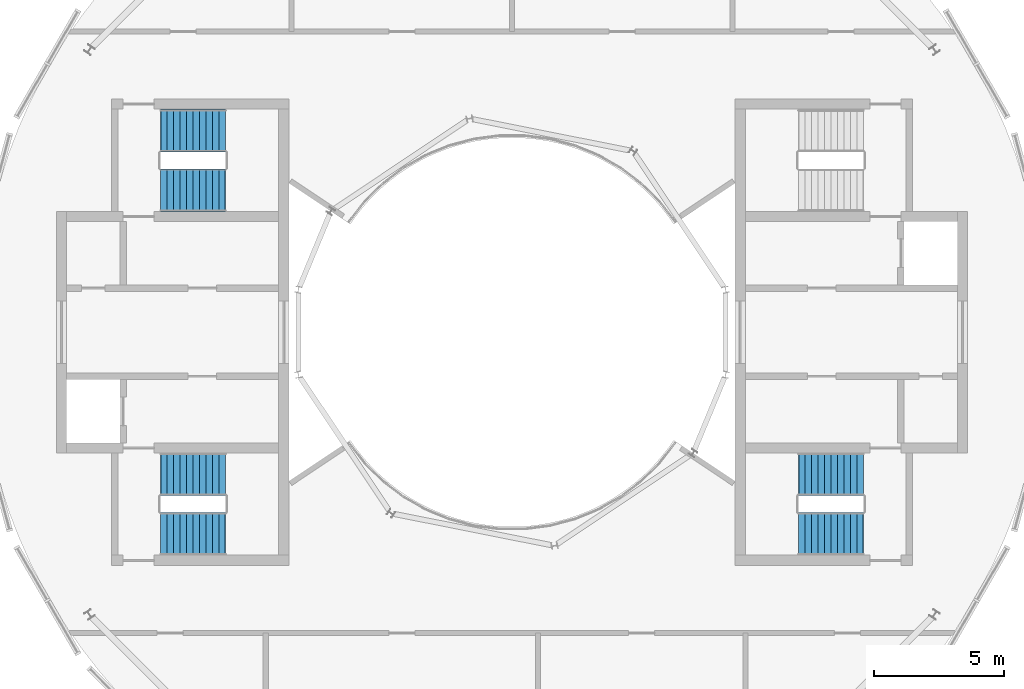
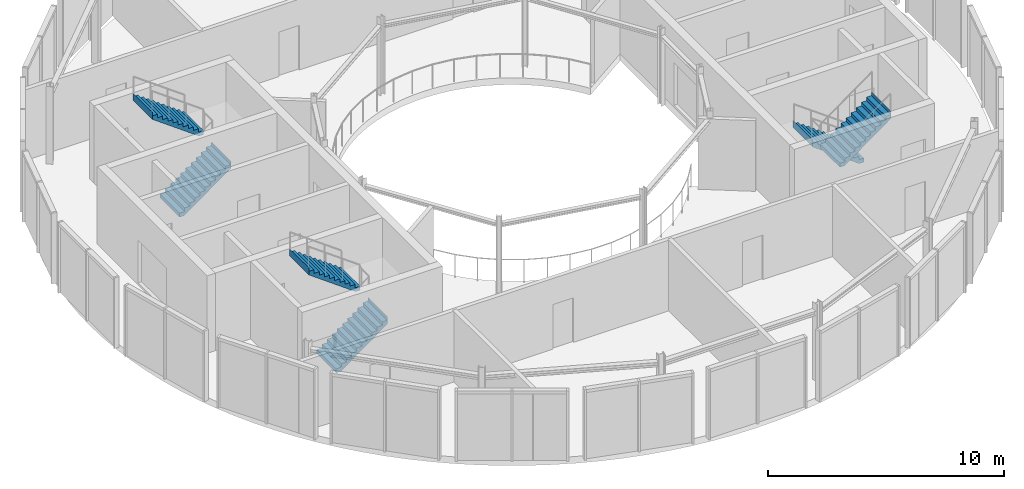
# One storey, part 10 of 12: 6 stair flights, 3 elements without a shape of their own.
"""IFC4 building model written with IfcOpenShell, lengths in metres."""

from ifc_helpers import new_model, si_unit, direction, frame, origin, place, context, subcontext, project, spatial, triangles, material, type_object, element, aggregate, save


model = new_model("IFC4")

# Units and contexts
model_context = context("Model", 3, precision=1e-05, world=origin(), true_north=direction((0.0, 1.0)))
body_context = subcontext(model_context, "Body", "Model", "MODEL_VIEW")
ifc_project = project(units=[si_unit("LENGTHUNIT", "METRE"), si_unit("AREAUNIT", "SQUARE_METRE"), si_unit("VOLUMEUNIT", "CUBIC_METRE"), si_unit("PLANEANGLEUNIT", "RADIAN"), si_unit("MASSUNIT", "GRAM", prefix="KILO")], contexts=[model_context])

# Site, building, storey
site_placement = place(None, origin())
site = spatial("IfcSite", under=ifc_project, at=site_placement, CompositionType="ELEMENT")
building_placement = place(site_placement, origin())
building = spatial("IfcBuilding", under=site, at=building_placement, Name="Maasbend Ring Residences", CompositionType="ELEMENT")
storey_placement = place(building_placement, frame((0.0, 0.0, 261.5)))
storey = spatial("IfcBuildingStorey", under=building, at=storey_placement, Name="L75", CompositionType="ELEMENT", Elevation=261.5)

# Stair, stair flights
ifc_material_1 = material(Name="Concrete C40/50", Category="concrete")
stair_type = type_object("IfcStairType", Name="CORE STAIR 22 RISERS", PredefinedType="HALF_TURN_STAIR", material=ifc_material_1)
stair_1_placement = place(storey_placement, origin())
stair_1 = element("IfcStair", 1, at=stair_1_placement, inside=storey, type_object=stair_type, Name="L75 Exit stair ST-E2", PredefinedType="HALF_TURN_STAIR")
ifc_material_2 = material(Name="Concrete C40/50", Category="concrete")
stair_flight_type = type_object("IfcStairFlightType", Name="CORE STAIR FLIGHT 1650", PredefinedType="STRAIGHT", material=ifc_material_2)
stair_flight_1_placement = place(storey_placement, frame((13.550048828125, -5.47509765625, 0.0), z_axis=(0.0, 0.0, 1.0), x_axis=(-1.0, 0.0, 0.0)))
stair_flight_1 = element("IfcStairFlight", 2, at=stair_flight_1_placement, type_object=stair_flight_type, Name="ST-E2 flight 1", NumberOfRisers=11, NumberOfTreads=10, PredefinedType="STRAIGHT", RiserHeight=0.181818182, TreadLength=0.25, context=body_context, shape_type="Tessellation", body=[
    triangles([(0.23046875, 0.824951171875, -0.02001953125), (2.5029296875, 0.824951171875, 1.6328125), (2.5029296875, 0.824951171875, 2.0), (2.489990234375, 0.824951171875, 1.818115234375), (2.25, 0.824951171875, 1.818115234375), (2.25, 0.824951171875, 1.636474609375), (2.0, 0.824951171875, 1.636474609375), (2.0, 0.824951171875, 1.45458984375), (1.75, 0.824951171875, 1.45458984375), (1.75, 0.824951171875, 1.272705078125), (1.5, 0.824951171875, 1.272705078125), (1.5, 0.824951171875, 1.0908203125), (1.25, 0.824951171875, 1.0908203125), (1.25, 0.824951171875, 0.9091796875), (1.0, 0.824951171875, 0.9091796875), (1.0, 0.824951171875, 0.727294921875), (0.75, 0.824951171875, 0.727294921875), (0.75, 0.824951171875, 0.54541015625), (0.5, 0.824951171875, 0.54541015625), (0.5, 0.824951171875, 0.363525390625), (0.25, 0.824951171875, 0.363525390625), (0.25, 0.824951171875, 0.181884765625), (0.0, 0.824951171875, 0.181884765625), (0.0, 0.824951171875, 0.0), (-0.0029296875, 0.824951171875, 0.0), (-0.0029296875, 0.824951171875, -0.02001953125), (0.23046875, 0.0, -0.02001953125), (2.5029296875, 0.0, 1.6328125), (2.5029296875, 0.0, 2.0), (2.489990234375, 0.0, 1.818115234375), (2.25, 0.0, 1.818115234375), (2.25, 0.0, 1.636474609375), (2.0, 0.0, 1.636474609375), (2.0, 0.0, 1.45458984375), (1.75, 0.0, 1.45458984375), (1.75, 0.0, 1.272705078125), (1.5, 0.0, 1.272705078125), (1.5, 0.0, 1.0908203125), (1.25, 0.0, 1.0908203125), (1.25, 0.0, 0.9091796875), (1.0, 0.0, 0.9091796875), (1.0, 0.0, 0.727294921875), (0.75, 0.0, 0.727294921875), (0.75, 0.0, 0.54541015625), (0.5, 0.0, 0.54541015625), (0.5, 0.0, 0.363525390625), (0.25, 0.0, 0.363525390625), (0.25, 0.0, 0.181884765625), (0.0, 0.0, 0.181884765625), (0.0, 0.0, 0.0), (-0.0029296875, 0.0, 0.0), (-0.0029296875, 0.0, -0.02001953125), (0.23046875, -0.824951171875, -0.02001953125), (2.5029296875, -0.824951171875, 1.6328125), (2.5029296875, -0.824951171875, 2.0), (2.489990234375, -0.824951171875, 1.818115234375), (2.25, -0.824951171875, 1.818115234375), (2.25, -0.824951171875, 1.636474609375), (2.0, -0.824951171875, 1.636474609375), (2.0, -0.824951171875, 1.45458984375), (1.75, -0.824951171875, 1.45458984375), (1.75, -0.824951171875, 1.272705078125), (1.5, -0.824951171875, 1.272705078125), (1.5, -0.824951171875, 1.0908203125), (1.25, -0.824951171875, 1.0908203125), (1.25, -0.824951171875, 0.9091796875), (1.0, -0.824951171875, 0.9091796875), (1.0, -0.824951171875, 0.727294921875), (0.75, -0.824951171875, 0.727294921875), (0.75, -0.824951171875, 0.54541015625), (0.5, -0.824951171875, 0.54541015625), (0.5, -0.824951171875, 0.363525390625), (0.25, -0.824951171875, 0.363525390625), (0.25, -0.824951171875, 0.181884765625), (0.0, -0.824951171875, 0.181884765625), (0.0, -0.824951171875, 0.0), (-0.0029296875, -0.824951171875, 0.0), (-0.0029296875, -0.824951171875, -0.02001953125)], [[1, 2, 28], [1, 28, 27], [27, 28, 54], [27, 54, 53], [2, 3, 29], [2, 29, 28], [28, 29, 55], [28, 55, 54], [3, 4, 30], [3, 30, 29], [29, 30, 56], [29, 56, 55], [4, 5, 31], [4, 31, 30], [30, 31, 57], [30, 57, 56], [5, 6, 32], [5, 32, 31], [31, 32, 58], [31, 58, 57], [6, 7, 33], [6, 33, 32], [32, 33, 59], [32, 59, 58], [7, 8, 34], [7, 34, 33], [33, 34, 60], [33, 60, 59], [8, 9, 35], [8, 35, 34], [34, 35, 61], [34, 61, 60], [9, 10, 36], [9, 36, 35], [35, 36, 62], [35, 62, 61], [10, 11, 37], [10, 37, 36], [36, 37, 63], [36, 63, 62], [11, 12, 38], [11, 38, 37], [37, 38, 64], [37, 64, 63], [12, 13, 39], [12, 39, 38], [38, 39, 65], [38, 65, 64], [13, 14, 40], [13, 40, 39], [39, 40, 66], [39, 66, 65], [14, 15, 41], [14, 41, 40], [40, 41, 67], [40, 67, 66], [15, 16, 42], [15, 42, 41], [41, 42, 68], [41, 68, 67], [16, 17, 43], [16, 43, 42], [42, 43, 69], [42, 69, 68], [17, 18, 44], [17, 44, 43], [43, 44, 70], [43, 70, 69], [18, 19, 45], [18, 45, 44], [44, 45, 71], [44, 71, 70], [19, 20, 46], [19, 46, 45], [45, 46, 72], [45, 72, 71], [20, 21, 47], [20, 47, 46], [46, 47, 73], [46, 73, 72], [21, 22, 48], [21, 48, 47], [47, 48, 74], [47, 74, 73], [22, 23, 49], [22, 49, 48], [48, 49, 75], [48, 75, 74], [23, 24, 50], [23, 50, 49], [49, 50, 76], [49, 76, 75], [24, 25, 51], [24, 51, 50], [50, 51, 77], [50, 77, 76], [25, 26, 52], [25, 52, 51], [51, 52, 78], [51, 78, 77], [26, 1, 27], [26, 27, 52], [52, 27, 53], [52, 53, 78], [26, 2, 1], [2, 4, 3], [2, 5, 4], [2, 6, 5], [26, 6, 2], [6, 8, 7], [26, 8, 6], [8, 10, 9], [26, 10, 8], [10, 12, 11], [26, 12, 10], [12, 14, 13], [26, 14, 12], [14, 16, 15], [26, 16, 14], [16, 18, 17], [26, 18, 16], [18, 20, 19], [26, 20, 18], [20, 22, 21], [26, 22, 20], [22, 24, 23], [26, 24, 22], [24, 26, 25], [78, 53, 54], [54, 55, 56], [54, 56, 57], [54, 57, 58], [78, 54, 58], [58, 59, 60], [78, 58, 60], [60, 61, 62], [78, 60, 62], [62, 63, 64], [78, 62, 64], [64, 65, 66], [78, 64, 66], [66, 67, 68], [78, 66, 68], [68, 69, 70], [78, 68, 70], [70, 71, 72], [78, 70, 72], [72, 73, 74], [78, 72, 74], [74, 75, 76], [78, 74, 76], [76, 77, 78]], closed=True),
])
stair_flight_2_placement = place(storey_placement, frame((11.050048828125, -7.77490234375, 2.0), z_axis=(0.0, 0.0, 1.0), x_axis=(1.0, 0.0, 0.0)))
stair_flight_2 = element("IfcStairFlight", 3, at=stair_flight_2_placement, type_object=stair_flight_type, Name="ST-E2 flight 2", NumberOfRisers=11, NumberOfTreads=10, PredefinedType="STRAIGHT", RiserHeight=0.181818182, TreadLength=0.25, context=body_context, shape_type="Tessellation", body=[
    triangles([(0.23046875, 0.824951171875, -0.02001953125), (2.5029296875, 0.824951171875, 1.6328125), (2.5029296875, 0.824951171875, 2.0), (2.489990234375, 0.824951171875, 1.818115234375), (2.25, 0.824951171875, 1.818115234375), (2.25, 0.824951171875, 1.636474609375), (2.0, 0.824951171875, 1.636474609375), (2.0, 0.824951171875, 1.45458984375), (1.75, 0.824951171875, 1.45458984375), (1.75, 0.824951171875, 1.272705078125), (1.5, 0.824951171875, 1.272705078125), (1.5, 0.824951171875, 1.0908203125), (1.25, 0.824951171875, 1.0908203125), (1.25, 0.824951171875, 0.9091796875), (1.0, 0.824951171875, 0.9091796875), (1.0, 0.824951171875, 0.727294921875), (0.75, 0.824951171875, 0.727294921875), (0.75, 0.824951171875, 0.54541015625), (0.5, 0.824951171875, 0.54541015625), (0.5, 0.824951171875, 0.363525390625), (0.25, 0.824951171875, 0.363525390625), (0.25, 0.824951171875, 0.181884765625), (0.0, 0.824951171875, 0.181884765625), (0.0, 0.824951171875, 0.0), (-0.0029296875, 0.824951171875, 0.0), (-0.0029296875, 0.824951171875, -0.02001953125), (0.23046875, 0.0, -0.02001953125), (2.5029296875, 0.0, 1.6328125), (2.5029296875, 0.0, 2.0), (2.489990234375, 0.0, 1.818115234375), (2.25, 0.0, 1.818115234375), (2.25, 0.0, 1.636474609375), (2.0, 0.0, 1.636474609375), (2.0, 0.0, 1.45458984375), (1.75, 0.0, 1.45458984375), (1.75, 0.0, 1.272705078125), (1.5, 0.0, 1.272705078125), (1.5, 0.0, 1.0908203125), (1.25, 0.0, 1.0908203125), (1.25, 0.0, 0.9091796875), (1.0, 0.0, 0.9091796875), (1.0, 0.0, 0.727294921875), (0.75, 0.0, 0.727294921875), (0.75, 0.0, 0.54541015625), (0.5, 0.0, 0.54541015625), (0.5, 0.0, 0.363525390625), (0.25, 0.0, 0.363525390625), (0.25, 0.0, 0.181884765625), (0.0, 0.0, 0.181884765625), (0.0, 0.0, 0.0), (-0.0029296875, 0.0, 0.0), (-0.0029296875, 0.0, -0.02001953125), (0.23046875, -0.824951171875, -0.02001953125), (2.5029296875, -0.824951171875, 1.6328125), (2.5029296875, -0.824951171875, 2.0), (2.489990234375, -0.824951171875, 1.818115234375), (2.25, -0.824951171875, 1.818115234375), (2.25, -0.824951171875, 1.636474609375), (2.0, -0.824951171875, 1.636474609375), (2.0, -0.824951171875, 1.45458984375), (1.75, -0.824951171875, 1.45458984375), (1.75, -0.824951171875, 1.272705078125), (1.5, -0.824951171875, 1.272705078125), (1.5, -0.824951171875, 1.0908203125), (1.25, -0.824951171875, 1.0908203125), (1.25, -0.824951171875, 0.9091796875), (1.0, -0.824951171875, 0.9091796875), (1.0, -0.824951171875, 0.727294921875), (0.75, -0.824951171875, 0.727294921875), (0.75, -0.824951171875, 0.54541015625), (0.5, -0.824951171875, 0.54541015625), (0.5, -0.824951171875, 0.363525390625), (0.25, -0.824951171875, 0.363525390625), (0.25, -0.824951171875, 0.181884765625), (0.0, -0.824951171875, 0.181884765625), (0.0, -0.824951171875, 0.0), (-0.0029296875, -0.824951171875, 0.0), (-0.0029296875, -0.824951171875, -0.02001953125)], [[1, 2, 28], [1, 28, 27], [27, 28, 54], [27, 54, 53], [2, 3, 29], [2, 29, 28], [28, 29, 55], [28, 55, 54], [3, 4, 30], [3, 30, 29], [29, 30, 56], [29, 56, 55], [4, 5, 31], [4, 31, 30], [30, 31, 57], [30, 57, 56], [5, 6, 32], [5, 32, 31], [31, 32, 58], [31, 58, 57], [6, 7, 33], [6, 33, 32], [32, 33, 59], [32, 59, 58], [7, 8, 34], [7, 34, 33], [33, 34, 60], [33, 60, 59], [8, 9, 35], [8, 35, 34], [34, 35, 61], [34, 61, 60], [9, 10, 36], [9, 36, 35], [35, 36, 62], [35, 62, 61], [10, 11, 37], [10, 37, 36], [36, 37, 63], [36, 63, 62], [11, 12, 38], [11, 38, 37], [37, 38, 64], [37, 64, 63], [12, 13, 39], [12, 39, 38], [38, 39, 65], [38, 65, 64], [13, 14, 40], [13, 40, 39], [39, 40, 66], [39, 66, 65], [14, 15, 41], [14, 41, 40], [40, 41, 67], [40, 67, 66], [15, 16, 42], [15, 42, 41], [41, 42, 68], [41, 68, 67], [16, 17, 43], [16, 43, 42], [42, 43, 69], [42, 69, 68], [17, 18, 44], [17, 44, 43], [43, 44, 70], [43, 70, 69], [18, 19, 45], [18, 45, 44], [44, 45, 71], [44, 71, 70], [19, 20, 46], [19, 46, 45], [45, 46, 72], [45, 72, 71], [20, 21, 47], [20, 47, 46], [46, 47, 73], [46, 73, 72], [21, 22, 48], [21, 48, 47], [47, 48, 74], [47, 74, 73], [22, 23, 49], [22, 49, 48], [48, 49, 75], [48, 75, 74], [23, 24, 50], [23, 50, 49], [49, 50, 76], [49, 76, 75], [24, 25, 51], [24, 51, 50], [50, 51, 77], [50, 77, 76], [25, 26, 52], [25, 52, 51], [51, 52, 78], [51, 78, 77], [26, 1, 27], [26, 27, 52], [52, 27, 53], [52, 53, 78], [26, 2, 1], [2, 4, 3], [2, 5, 4], [2, 6, 5], [26, 6, 2], [6, 8, 7], [26, 8, 6], [8, 10, 9], [26, 10, 8], [10, 12, 11], [26, 12, 10], [12, 14, 13], [26, 14, 12], [14, 16, 15], [26, 16, 14], [16, 18, 17], [26, 18, 16], [18, 20, 19], [26, 20, 18], [20, 22, 21], [26, 22, 20], [22, 24, 23], [26, 24, 22], [24, 26, 25], [78, 53, 54], [54, 55, 56], [54, 56, 57], [54, 57, 58], [78, 54, 58], [58, 59, 60], [78, 58, 60], [60, 61, 62], [78, 60, 62], [62, 63, 64], [78, 62, 64], [64, 65, 66], [78, 64, 66], [66, 67, 68], [78, 66, 68], [68, 69, 70], [78, 68, 70], [70, 71, 72], [78, 70, 72], [72, 73, 74], [78, 72, 74], [74, 75, 76], [78, 74, 76], [76, 77, 78]], closed=True),
])
aggregate(stair_1, [stair_flight_1, stair_flight_2])

stair_2_placement = place(storey_placement, origin())
stair_2 = element("IfcStair", 4, at=stair_2_placement, inside=storey, type_object=stair_type, Name="L75 Exit stair ST-W1", PredefinedType="HALF_TURN_STAIR")
stair_flight_3_placement = place(storey_placement, frame((-13.550048828125, -7.77490234375, 0.0), z_axis=(0.0, 0.0, 1.0), x_axis=(1.0, 0.0, 0.0)))
stair_flight_3 = element("IfcStairFlight", 5, at=stair_flight_3_placement, type_object=stair_flight_type, Name="ST-W1 flight 1", NumberOfRisers=11, NumberOfTreads=10, PredefinedType="STRAIGHT", RiserHeight=0.181818182, TreadLength=0.25, context=body_context, shape_type="Tessellation", body=[
    triangles([(0.23046875, 0.824951171875, -0.02001953125), (2.5029296875, 0.824951171875, 1.6328125), (2.5029296875, 0.824951171875, 2.0), (2.489990234375, 0.824951171875, 1.818115234375), (2.25, 0.824951171875, 1.818115234375), (2.25, 0.824951171875, 1.636474609375), (2.0, 0.824951171875, 1.636474609375), (2.0, 0.824951171875, 1.45458984375), (1.75, 0.824951171875, 1.45458984375), (1.75, 0.824951171875, 1.272705078125), (1.5, 0.824951171875, 1.272705078125), (1.5, 0.824951171875, 1.0908203125), (1.25, 0.824951171875, 1.0908203125), (1.25, 0.824951171875, 0.9091796875), (1.0, 0.824951171875, 0.9091796875), (1.0, 0.824951171875, 0.727294921875), (0.75, 0.824951171875, 0.727294921875), (0.75, 0.824951171875, 0.54541015625), (0.5, 0.824951171875, 0.54541015625), (0.5, 0.824951171875, 0.363525390625), (0.25, 0.824951171875, 0.363525390625), (0.25, 0.824951171875, 0.181884765625), (0.0, 0.824951171875, 0.181884765625), (0.0, 0.824951171875, 0.0), (-0.0029296875, 0.824951171875, 0.0), (-0.0029296875, 0.824951171875, -0.02001953125), (0.23046875, 0.0, -0.02001953125), (2.5029296875, 0.0, 1.6328125), (2.5029296875, 0.0, 2.0), (2.489990234375, 0.0, 1.818115234375), (2.25, 0.0, 1.818115234375), (2.25, 0.0, 1.636474609375), (2.0, 0.0, 1.636474609375), (2.0, 0.0, 1.45458984375), (1.75, 0.0, 1.45458984375), (1.75, 0.0, 1.272705078125), (1.5, 0.0, 1.272705078125), (1.5, 0.0, 1.0908203125), (1.25, 0.0, 1.0908203125), (1.25, 0.0, 0.9091796875), (1.0, 0.0, 0.9091796875), (1.0, 0.0, 0.727294921875), (0.75, 0.0, 0.727294921875), (0.75, 0.0, 0.54541015625), (0.5, 0.0, 0.54541015625), (0.5, 0.0, 0.363525390625), (0.25, 0.0, 0.363525390625), (0.25, 0.0, 0.181884765625), (0.0, 0.0, 0.181884765625), (0.0, 0.0, 0.0), (-0.0029296875, 0.0, 0.0), (-0.0029296875, 0.0, -0.02001953125), (0.23046875, -0.824951171875, -0.02001953125), (2.5029296875, -0.824951171875, 1.6328125), (2.5029296875, -0.824951171875, 2.0), (2.489990234375, -0.824951171875, 1.818115234375), (2.25, -0.824951171875, 1.818115234375), (2.25, -0.824951171875, 1.636474609375), (2.0, -0.824951171875, 1.636474609375), (2.0, -0.824951171875, 1.45458984375), (1.75, -0.824951171875, 1.45458984375), (1.75, -0.824951171875, 1.272705078125), (1.5, -0.824951171875, 1.272705078125), (1.5, -0.824951171875, 1.0908203125), (1.25, -0.824951171875, 1.0908203125), (1.25, -0.824951171875, 0.9091796875), (1.0, -0.824951171875, 0.9091796875), (1.0, -0.824951171875, 0.727294921875), (0.75, -0.824951171875, 0.727294921875), (0.75, -0.824951171875, 0.54541015625), (0.5, -0.824951171875, 0.54541015625), (0.5, -0.824951171875, 0.363525390625), (0.25, -0.824951171875, 0.363525390625), (0.25, -0.824951171875, 0.181884765625), (0.0, -0.824951171875, 0.181884765625), (0.0, -0.824951171875, 0.0), (-0.0029296875, -0.824951171875, 0.0), (-0.0029296875, -0.824951171875, -0.02001953125)], [[1, 2, 28], [1, 28, 27], [27, 28, 54], [27, 54, 53], [2, 3, 29], [2, 29, 28], [28, 29, 55], [28, 55, 54], [3, 4, 30], [3, 30, 29], [29, 30, 56], [29, 56, 55], [4, 5, 31], [4, 31, 30], [30, 31, 57], [30, 57, 56], [5, 6, 32], [5, 32, 31], [31, 32, 58], [31, 58, 57], [6, 7, 33], [6, 33, 32], [32, 33, 59], [32, 59, 58], [7, 8, 34], [7, 34, 33], [33, 34, 60], [33, 60, 59], [8, 9, 35], [8, 35, 34], [34, 35, 61], [34, 61, 60], [9, 10, 36], [9, 36, 35], [35, 36, 62], [35, 62, 61], [10, 11, 37], [10, 37, 36], [36, 37, 63], [36, 63, 62], [11, 12, 38], [11, 38, 37], [37, 38, 64], [37, 64, 63], [12, 13, 39], [12, 39, 38], [38, 39, 65], [38, 65, 64], [13, 14, 40], [13, 40, 39], [39, 40, 66], [39, 66, 65], [14, 15, 41], [14, 41, 40], [40, 41, 67], [40, 67, 66], [15, 16, 42], [15, 42, 41], [41, 42, 68], [41, 68, 67], [16, 17, 43], [16, 43, 42], [42, 43, 69], [42, 69, 68], [17, 18, 44], [17, 44, 43], [43, 44, 70], [43, 70, 69], [18, 19, 45], [18, 45, 44], [44, 45, 71], [44, 71, 70], [19, 20, 46], [19, 46, 45], [45, 46, 72], [45, 72, 71], [20, 21, 47], [20, 47, 46], [46, 47, 73], [46, 73, 72], [21, 22, 48], [21, 48, 47], [47, 48, 74], [47, 74, 73], [22, 23, 49], [22, 49, 48], [48, 49, 75], [48, 75, 74], [23, 24, 50], [23, 50, 49], [49, 50, 76], [49, 76, 75], [24, 25, 51], [24, 51, 50], [50, 51, 77], [50, 77, 76], [25, 26, 52], [25, 52, 51], [51, 52, 78], [51, 78, 77], [26, 1, 27], [26, 27, 52], [52, 27, 53], [52, 53, 78], [26, 2, 1], [2, 4, 3], [2, 5, 4], [2, 6, 5], [26, 6, 2], [6, 8, 7], [26, 8, 6], [8, 10, 9], [26, 10, 8], [10, 12, 11], [26, 12, 10], [12, 14, 13], [26, 14, 12], [14, 16, 15], [26, 16, 14], [16, 18, 17], [26, 18, 16], [18, 20, 19], [26, 20, 18], [20, 22, 21], [26, 22, 20], [22, 24, 23], [26, 24, 22], [24, 26, 25], [78, 53, 54], [54, 55, 56], [54, 56, 57], [54, 57, 58], [78, 54, 58], [58, 59, 60], [78, 58, 60], [60, 61, 62], [78, 60, 62], [62, 63, 64], [78, 62, 64], [64, 65, 66], [78, 64, 66], [66, 67, 68], [78, 66, 68], [68, 69, 70], [78, 68, 70], [70, 71, 72], [78, 70, 72], [72, 73, 74], [78, 72, 74], [74, 75, 76], [78, 74, 76], [76, 77, 78]], closed=True),
])
stair_flight_4_placement = place(storey_placement, frame((-11.050048828125, -5.47509765625, 2.0), z_axis=(0.0, 0.0, 1.0), x_axis=(-1.0, 0.0, 0.0)))
stair_flight_4 = element("IfcStairFlight", 6, at=stair_flight_4_placement, type_object=stair_flight_type, Name="ST-W1 flight 2", NumberOfRisers=11, NumberOfTreads=10, PredefinedType="STRAIGHT", RiserHeight=0.181818182, TreadLength=0.25, context=body_context, shape_type="Tessellation", body=[
    triangles([(0.23046875, 0.824951171875, -0.02001953125), (2.5029296875, 0.824951171875, 1.6328125), (2.5029296875, 0.824951171875, 2.0), (2.489990234375, 0.824951171875, 1.818115234375), (2.25, 0.824951171875, 1.818115234375), (2.25, 0.824951171875, 1.636474609375), (2.0, 0.824951171875, 1.636474609375), (2.0, 0.824951171875, 1.45458984375), (1.75, 0.824951171875, 1.45458984375), (1.75, 0.824951171875, 1.272705078125), (1.5, 0.824951171875, 1.272705078125), (1.5, 0.824951171875, 1.0908203125), (1.25, 0.824951171875, 1.0908203125), (1.25, 0.824951171875, 0.9091796875), (1.0, 0.824951171875, 0.9091796875), (1.0, 0.824951171875, 0.727294921875), (0.75, 0.824951171875, 0.727294921875), (0.75, 0.824951171875, 0.54541015625), (0.5, 0.824951171875, 0.54541015625), (0.5, 0.824951171875, 0.363525390625), (0.25, 0.824951171875, 0.363525390625), (0.25, 0.824951171875, 0.181884765625), (0.0, 0.824951171875, 0.181884765625), (0.0, 0.824951171875, 0.0), (-0.0029296875, 0.824951171875, 0.0), (-0.0029296875, 0.824951171875, -0.02001953125), (0.23046875, 0.0, -0.02001953125), (2.5029296875, 0.0, 1.6328125), (2.5029296875, 0.0, 2.0), (2.489990234375, 0.0, 1.818115234375), (2.25, 0.0, 1.818115234375), (2.25, 0.0, 1.636474609375), (2.0, 0.0, 1.636474609375), (2.0, 0.0, 1.45458984375), (1.75, 0.0, 1.45458984375), (1.75, 0.0, 1.272705078125), (1.5, 0.0, 1.272705078125), (1.5, 0.0, 1.0908203125), (1.25, 0.0, 1.0908203125), (1.25, 0.0, 0.9091796875), (1.0, 0.0, 0.9091796875), (1.0, 0.0, 0.727294921875), (0.75, 0.0, 0.727294921875), (0.75, 0.0, 0.54541015625), (0.5, 0.0, 0.54541015625), (0.5, 0.0, 0.363525390625), (0.25, 0.0, 0.363525390625), (0.25, 0.0, 0.181884765625), (0.0, 0.0, 0.181884765625), (0.0, 0.0, 0.0), (-0.0029296875, 0.0, 0.0), (-0.0029296875, 0.0, -0.02001953125), (0.23046875, -0.824951171875, -0.02001953125), (2.5029296875, -0.824951171875, 1.6328125), (2.5029296875, -0.824951171875, 2.0), (2.489990234375, -0.824951171875, 1.818115234375), (2.25, -0.824951171875, 1.818115234375), (2.25, -0.824951171875, 1.636474609375), (2.0, -0.824951171875, 1.636474609375), (2.0, -0.824951171875, 1.45458984375), (1.75, -0.824951171875, 1.45458984375), (1.75, -0.824951171875, 1.272705078125), (1.5, -0.824951171875, 1.272705078125), (1.5, -0.824951171875, 1.0908203125), (1.25, -0.824951171875, 1.0908203125), (1.25, -0.824951171875, 0.9091796875), (1.0, -0.824951171875, 0.9091796875), (1.0, -0.824951171875, 0.727294921875), (0.75, -0.824951171875, 0.727294921875), (0.75, -0.824951171875, 0.54541015625), (0.5, -0.824951171875, 0.54541015625), (0.5, -0.824951171875, 0.363525390625), (0.25, -0.824951171875, 0.363525390625), (0.25, -0.824951171875, 0.181884765625), (0.0, -0.824951171875, 0.181884765625), (0.0, -0.824951171875, 0.0), (-0.0029296875, -0.824951171875, 0.0), (-0.0029296875, -0.824951171875, -0.02001953125)], [[1, 2, 28], [1, 28, 27], [27, 28, 54], [27, 54, 53], [2, 3, 29], [2, 29, 28], [28, 29, 55], [28, 55, 54], [3, 4, 30], [3, 30, 29], [29, 30, 56], [29, 56, 55], [4, 5, 31], [4, 31, 30], [30, 31, 57], [30, 57, 56], [5, 6, 32], [5, 32, 31], [31, 32, 58], [31, 58, 57], [6, 7, 33], [6, 33, 32], [32, 33, 59], [32, 59, 58], [7, 8, 34], [7, 34, 33], [33, 34, 60], [33, 60, 59], [8, 9, 35], [8, 35, 34], [34, 35, 61], [34, 61, 60], [9, 10, 36], [9, 36, 35], [35, 36, 62], [35, 62, 61], [10, 11, 37], [10, 37, 36], [36, 37, 63], [36, 63, 62], [11, 12, 38], [11, 38, 37], [37, 38, 64], [37, 64, 63], [12, 13, 39], [12, 39, 38], [38, 39, 65], [38, 65, 64], [13, 14, 40], [13, 40, 39], [39, 40, 66], [39, 66, 65], [14, 15, 41], [14, 41, 40], [40, 41, 67], [40, 67, 66], [15, 16, 42], [15, 42, 41], [41, 42, 68], [41, 68, 67], [16, 17, 43], [16, 43, 42], [42, 43, 69], [42, 69, 68], [17, 18, 44], [17, 44, 43], [43, 44, 70], [43, 70, 69], [18, 19, 45], [18, 45, 44], [44, 45, 71], [44, 71, 70], [19, 20, 46], [19, 46, 45], [45, 46, 72], [45, 72, 71], [20, 21, 47], [20, 47, 46], [46, 47, 73], [46, 73, 72], [21, 22, 48], [21, 48, 47], [47, 48, 74], [47, 74, 73], [22, 23, 49], [22, 49, 48], [48, 49, 75], [48, 75, 74], [23, 24, 50], [23, 50, 49], [49, 50, 76], [49, 76, 75], [24, 25, 51], [24, 51, 50], [50, 51, 77], [50, 77, 76], [25, 26, 52], [25, 52, 51], [51, 52, 78], [51, 78, 77], [26, 1, 27], [26, 27, 52], [52, 27, 53], [52, 53, 78], [26, 2, 1], [2, 4, 3], [2, 5, 4], [2, 6, 5], [26, 6, 2], [6, 8, 7], [26, 8, 6], [8, 10, 9], [26, 10, 8], [10, 12, 11], [26, 12, 10], [12, 14, 13], [26, 14, 12], [14, 16, 15], [26, 16, 14], [16, 18, 17], [26, 18, 16], [18, 20, 19], [26, 20, 18], [20, 22, 21], [26, 22, 20], [22, 24, 23], [26, 24, 22], [24, 26, 25], [78, 53, 54], [54, 55, 56], [54, 56, 57], [54, 57, 58], [78, 54, 58], [58, 59, 60], [78, 58, 60], [60, 61, 62], [78, 60, 62], [62, 63, 64], [78, 62, 64], [64, 65, 66], [78, 64, 66], [66, 67, 68], [78, 66, 68], [68, 69, 70], [78, 68, 70], [70, 71, 72], [78, 70, 72], [72, 73, 74], [78, 72, 74], [74, 75, 76], [78, 74, 76], [76, 77, 78]], closed=True),
])
aggregate(stair_2, [stair_flight_3, stair_flight_4])

stair_3_placement = place(storey_placement, origin())
stair_3 = element("IfcStair", 7, at=stair_3_placement, inside=storey, type_object=stair_type, Name="L75 Exit stair ST-W2", PredefinedType="HALF_TURN_STAIR")
stair_flight_5_placement = place(storey_placement, frame((-13.550048828125, 5.47509765625, 0.0), z_axis=(0.0, 0.0, 1.0), x_axis=(1.0, 0.0, 0.0)))
stair_flight_5 = element("IfcStairFlight", 8, at=stair_flight_5_placement, type_object=stair_flight_type, Name="ST-W2 flight 1", NumberOfRisers=11, NumberOfTreads=10, PredefinedType="STRAIGHT", RiserHeight=0.181818182, TreadLength=0.25, context=body_context, shape_type="Tessellation", body=[
    triangles([(0.23046875, 0.824951171875, -0.02001953125), (2.5029296875, 0.824951171875, 1.6328125), (2.5029296875, 0.824951171875, 2.0), (2.489990234375, 0.824951171875, 1.818115234375), (2.25, 0.824951171875, 1.818115234375), (2.25, 0.824951171875, 1.636474609375), (2.0, 0.824951171875, 1.636474609375), (2.0, 0.824951171875, 1.45458984375), (1.75, 0.824951171875, 1.45458984375), (1.75, 0.824951171875, 1.272705078125), (1.5, 0.824951171875, 1.272705078125), (1.5, 0.824951171875, 1.0908203125), (1.25, 0.824951171875, 1.0908203125), (1.25, 0.824951171875, 0.9091796875), (1.0, 0.824951171875, 0.9091796875), (1.0, 0.824951171875, 0.727294921875), (0.75, 0.824951171875, 0.727294921875), (0.75, 0.824951171875, 0.54541015625), (0.5, 0.824951171875, 0.54541015625), (0.5, 0.824951171875, 0.363525390625), (0.25, 0.824951171875, 0.363525390625), (0.25, 0.824951171875, 0.181884765625), (0.0, 0.824951171875, 0.181884765625), (0.0, 0.824951171875, 0.0), (-0.0029296875, 0.824951171875, 0.0), (-0.0029296875, 0.824951171875, -0.02001953125), (0.23046875, 0.0, -0.02001953125), (2.5029296875, 0.0, 1.6328125), (2.5029296875, 0.0, 2.0), (2.489990234375, 0.0, 1.818115234375), (2.25, 0.0, 1.818115234375), (2.25, 0.0, 1.636474609375), (2.0, 0.0, 1.636474609375), (2.0, 0.0, 1.45458984375), (1.75, 0.0, 1.45458984375), (1.75, 0.0, 1.272705078125), (1.5, 0.0, 1.272705078125), (1.5, 0.0, 1.0908203125), (1.25, 0.0, 1.0908203125), (1.25, 0.0, 0.9091796875), (1.0, 0.0, 0.9091796875), (1.0, 0.0, 0.727294921875), (0.75, 0.0, 0.727294921875), (0.75, 0.0, 0.54541015625), (0.5, 0.0, 0.54541015625), (0.5, 0.0, 0.363525390625), (0.25, 0.0, 0.363525390625), (0.25, 0.0, 0.181884765625), (0.0, 0.0, 0.181884765625), (0.0, 0.0, 0.0), (-0.0029296875, 0.0, 0.0), (-0.0029296875, 0.0, -0.02001953125), (0.23046875, -0.824951171875, -0.02001953125), (2.5029296875, -0.824951171875, 1.6328125), (2.5029296875, -0.824951171875, 2.0), (2.489990234375, -0.824951171875, 1.818115234375), (2.25, -0.824951171875, 1.818115234375), (2.25, -0.824951171875, 1.636474609375), (2.0, -0.824951171875, 1.636474609375), (2.0, -0.824951171875, 1.45458984375), (1.75, -0.824951171875, 1.45458984375), (1.75, -0.824951171875, 1.272705078125), (1.5, -0.824951171875, 1.272705078125), (1.5, -0.824951171875, 1.0908203125), (1.25, -0.824951171875, 1.0908203125), (1.25, -0.824951171875, 0.9091796875), (1.0, -0.824951171875, 0.9091796875), (1.0, -0.824951171875, 0.727294921875), (0.75, -0.824951171875, 0.727294921875), (0.75, -0.824951171875, 0.54541015625), (0.5, -0.824951171875, 0.54541015625), (0.5, -0.824951171875, 0.363525390625), (0.25, -0.824951171875, 0.363525390625), (0.25, -0.824951171875, 0.181884765625), (0.0, -0.824951171875, 0.181884765625), (0.0, -0.824951171875, 0.0), (-0.0029296875, -0.824951171875, 0.0), (-0.0029296875, -0.824951171875, -0.02001953125)], [[1, 2, 28], [1, 28, 27], [27, 28, 54], [27, 54, 53], [2, 3, 29], [2, 29, 28], [28, 29, 55], [28, 55, 54], [3, 4, 30], [3, 30, 29], [29, 30, 56], [29, 56, 55], [4, 5, 31], [4, 31, 30], [30, 31, 57], [30, 57, 56], [5, 6, 32], [5, 32, 31], [31, 32, 58], [31, 58, 57], [6, 7, 33], [6, 33, 32], [32, 33, 59], [32, 59, 58], [7, 8, 34], [7, 34, 33], [33, 34, 60], [33, 60, 59], [8, 9, 35], [8, 35, 34], [34, 35, 61], [34, 61, 60], [9, 10, 36], [9, 36, 35], [35, 36, 62], [35, 62, 61], [10, 11, 37], [10, 37, 36], [36, 37, 63], [36, 63, 62], [11, 12, 38], [11, 38, 37], [37, 38, 64], [37, 64, 63], [12, 13, 39], [12, 39, 38], [38, 39, 65], [38, 65, 64], [13, 14, 40], [13, 40, 39], [39, 40, 66], [39, 66, 65], [14, 15, 41], [14, 41, 40], [40, 41, 67], [40, 67, 66], [15, 16, 42], [15, 42, 41], [41, 42, 68], [41, 68, 67], [16, 17, 43], [16, 43, 42], [42, 43, 69], [42, 69, 68], [17, 18, 44], [17, 44, 43], [43, 44, 70], [43, 70, 69], [18, 19, 45], [18, 45, 44], [44, 45, 71], [44, 71, 70], [19, 20, 46], [19, 46, 45], [45, 46, 72], [45, 72, 71], [20, 21, 47], [20, 47, 46], [46, 47, 73], [46, 73, 72], [21, 22, 48], [21, 48, 47], [47, 48, 74], [47, 74, 73], [22, 23, 49], [22, 49, 48], [48, 49, 75], [48, 75, 74], [23, 24, 50], [23, 50, 49], [49, 50, 76], [49, 76, 75], [24, 25, 51], [24, 51, 50], [50, 51, 77], [50, 77, 76], [25, 26, 52], [25, 52, 51], [51, 52, 78], [51, 78, 77], [26, 1, 27], [26, 27, 52], [52, 27, 53], [52, 53, 78], [26, 2, 1], [2, 4, 3], [2, 5, 4], [2, 6, 5], [26, 6, 2], [6, 8, 7], [26, 8, 6], [8, 10, 9], [26, 10, 8], [10, 12, 11], [26, 12, 10], [12, 14, 13], [26, 14, 12], [14, 16, 15], [26, 16, 14], [16, 18, 17], [26, 18, 16], [18, 20, 19], [26, 20, 18], [20, 22, 21], [26, 22, 20], [22, 24, 23], [26, 24, 22], [24, 26, 25], [78, 53, 54], [54, 55, 56], [54, 56, 57], [54, 57, 58], [78, 54, 58], [58, 59, 60], [78, 58, 60], [60, 61, 62], [78, 60, 62], [62, 63, 64], [78, 62, 64], [64, 65, 66], [78, 64, 66], [66, 67, 68], [78, 66, 68], [68, 69, 70], [78, 68, 70], [70, 71, 72], [78, 70, 72], [72, 73, 74], [78, 72, 74], [74, 75, 76], [78, 74, 76], [76, 77, 78]], closed=True),
])
stair_flight_6_placement = place(storey_placement, frame((-11.050048828125, 7.77490234375, 2.0), z_axis=(0.0, 0.0, 1.0), x_axis=(-1.0, 0.0, 0.0)))
stair_flight_6 = element("IfcStairFlight", 9, at=stair_flight_6_placement, type_object=stair_flight_type, Name="ST-W2 flight 2", NumberOfRisers=11, NumberOfTreads=10, PredefinedType="STRAIGHT", RiserHeight=0.181818182, TreadLength=0.25, context=body_context, shape_type="Tessellation", body=[
    triangles([(0.23046875, 0.824951171875, -0.02001953125), (2.5029296875, 0.824951171875, 1.6328125), (2.5029296875, 0.824951171875, 2.0), (2.489990234375, 0.824951171875, 1.818115234375), (2.25, 0.824951171875, 1.818115234375), (2.25, 0.824951171875, 1.636474609375), (2.0, 0.824951171875, 1.636474609375), (2.0, 0.824951171875, 1.45458984375), (1.75, 0.824951171875, 1.45458984375), (1.75, 0.824951171875, 1.272705078125), (1.5, 0.824951171875, 1.272705078125), (1.5, 0.824951171875, 1.0908203125), (1.25, 0.824951171875, 1.0908203125), (1.25, 0.824951171875, 0.9091796875), (1.0, 0.824951171875, 0.9091796875), (1.0, 0.824951171875, 0.727294921875), (0.75, 0.824951171875, 0.727294921875), (0.75, 0.824951171875, 0.54541015625), (0.5, 0.824951171875, 0.54541015625), (0.5, 0.824951171875, 0.363525390625), (0.25, 0.824951171875, 0.363525390625), (0.25, 0.824951171875, 0.181884765625), (0.0, 0.824951171875, 0.181884765625), (0.0, 0.824951171875, 0.0), (-0.0029296875, 0.824951171875, 0.0), (-0.0029296875, 0.824951171875, -0.02001953125), (0.23046875, 0.0, -0.02001953125), (2.5029296875, 0.0, 1.6328125), (2.5029296875, 0.0, 2.0), (2.489990234375, 0.0, 1.818115234375), (2.25, 0.0, 1.818115234375), (2.25, 0.0, 1.636474609375), (2.0, 0.0, 1.636474609375), (2.0, 0.0, 1.45458984375), (1.75, 0.0, 1.45458984375), (1.75, 0.0, 1.272705078125), (1.5, 0.0, 1.272705078125), (1.5, 0.0, 1.0908203125), (1.25, 0.0, 1.0908203125), (1.25, 0.0, 0.9091796875), (1.0, 0.0, 0.9091796875), (1.0, 0.0, 0.727294921875), (0.75, 0.0, 0.727294921875), (0.75, 0.0, 0.54541015625), (0.5, 0.0, 0.54541015625), (0.5, 0.0, 0.363525390625), (0.25, 0.0, 0.363525390625), (0.25, 0.0, 0.181884765625), (0.0, 0.0, 0.181884765625), (0.0, 0.0, 0.0), (-0.0029296875, 0.0, 0.0), (-0.0029296875, 0.0, -0.02001953125), (0.23046875, -0.824951171875, -0.02001953125), (2.5029296875, -0.824951171875, 1.6328125), (2.5029296875, -0.824951171875, 2.0), (2.489990234375, -0.824951171875, 1.818115234375), (2.25, -0.824951171875, 1.818115234375), (2.25, -0.824951171875, 1.636474609375), (2.0, -0.824951171875, 1.636474609375), (2.0, -0.824951171875, 1.45458984375), (1.75, -0.824951171875, 1.45458984375), (1.75, -0.824951171875, 1.272705078125), (1.5, -0.824951171875, 1.272705078125), (1.5, -0.824951171875, 1.0908203125), (1.25, -0.824951171875, 1.0908203125), (1.25, -0.824951171875, 0.9091796875), (1.0, -0.824951171875, 0.9091796875), (1.0, -0.824951171875, 0.727294921875), (0.75, -0.824951171875, 0.727294921875), (0.75, -0.824951171875, 0.54541015625), (0.5, -0.824951171875, 0.54541015625), (0.5, -0.824951171875, 0.363525390625), (0.25, -0.824951171875, 0.363525390625), (0.25, -0.824951171875, 0.181884765625), (0.0, -0.824951171875, 0.181884765625), (0.0, -0.824951171875, 0.0), (-0.0029296875, -0.824951171875, 0.0), (-0.0029296875, -0.824951171875, -0.02001953125)], [[1, 2, 28], [1, 28, 27], [27, 28, 54], [27, 54, 53], [2, 3, 29], [2, 29, 28], [28, 29, 55], [28, 55, 54], [3, 4, 30], [3, 30, 29], [29, 30, 56], [29, 56, 55], [4, 5, 31], [4, 31, 30], [30, 31, 57], [30, 57, 56], [5, 6, 32], [5, 32, 31], [31, 32, 58], [31, 58, 57], [6, 7, 33], [6, 33, 32], [32, 33, 59], [32, 59, 58], [7, 8, 34], [7, 34, 33], [33, 34, 60], [33, 60, 59], [8, 9, 35], [8, 35, 34], [34, 35, 61], [34, 61, 60], [9, 10, 36], [9, 36, 35], [35, 36, 62], [35, 62, 61], [10, 11, 37], [10, 37, 36], [36, 37, 63], [36, 63, 62], [11, 12, 38], [11, 38, 37], [37, 38, 64], [37, 64, 63], [12, 13, 39], [12, 39, 38], [38, 39, 65], [38, 65, 64], [13, 14, 40], [13, 40, 39], [39, 40, 66], [39, 66, 65], [14, 15, 41], [14, 41, 40], [40, 41, 67], [40, 67, 66], [15, 16, 42], [15, 42, 41], [41, 42, 68], [41, 68, 67], [16, 17, 43], [16, 43, 42], [42, 43, 69], [42, 69, 68], [17, 18, 44], [17, 44, 43], [43, 44, 70], [43, 70, 69], [18, 19, 45], [18, 45, 44], [44, 45, 71], [44, 71, 70], [19, 20, 46], [19, 46, 45], [45, 46, 72], [45, 72, 71], [20, 21, 47], [20, 47, 46], [46, 47, 73], [46, 73, 72], [21, 22, 48], [21, 48, 47], [47, 48, 74], [47, 74, 73], [22, 23, 49], [22, 49, 48], [48, 49, 75], [48, 75, 74], [23, 24, 50], [23, 50, 49], [49, 50, 76], [49, 76, 75], [24, 25, 51], [24, 51, 50], [50, 51, 77], [50, 77, 76], [25, 26, 52], [25, 52, 51], [51, 52, 78], [51, 78, 77], [26, 1, 27], [26, 27, 52], [52, 27, 53], [52, 53, 78], [26, 2, 1], [2, 4, 3], [2, 5, 4], [2, 6, 5], [26, 6, 2], [6, 8, 7], [26, 8, 6], [8, 10, 9], [26, 10, 8], [10, 12, 11], [26, 12, 10], [12, 14, 13], [26, 14, 12], [14, 16, 15], [26, 16, 14], [16, 18, 17], [26, 18, 16], [18, 20, 19], [26, 20, 18], [20, 22, 21], [26, 22, 20], [22, 24, 23], [26, 24, 22], [24, 26, 25], [78, 53, 54], [54, 55, 56], [54, 56, 57], [54, 57, 58], [78, 54, 58], [58, 59, 60], [78, 58, 60], [60, 61, 62], [78, 60, 62], [62, 63, 64], [78, 62, 64], [64, 65, 66], [78, 64, 66], [66, 67, 68], [78, 66, 68], [68, 69, 70], [78, 68, 70], [70, 71, 72], [78, 70, 72], [72, 73, 74], [78, 72, 74], [74, 75, 76], [78, 74, 76], [76, 77, 78]], closed=True),
])
aggregate(stair_3, [stair_flight_5, stair_flight_6])

save(model, "model.ifc")
